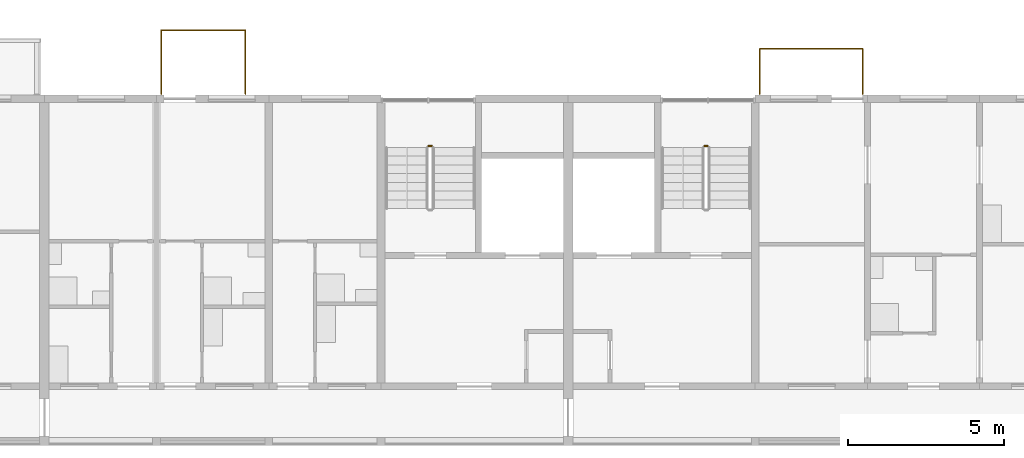
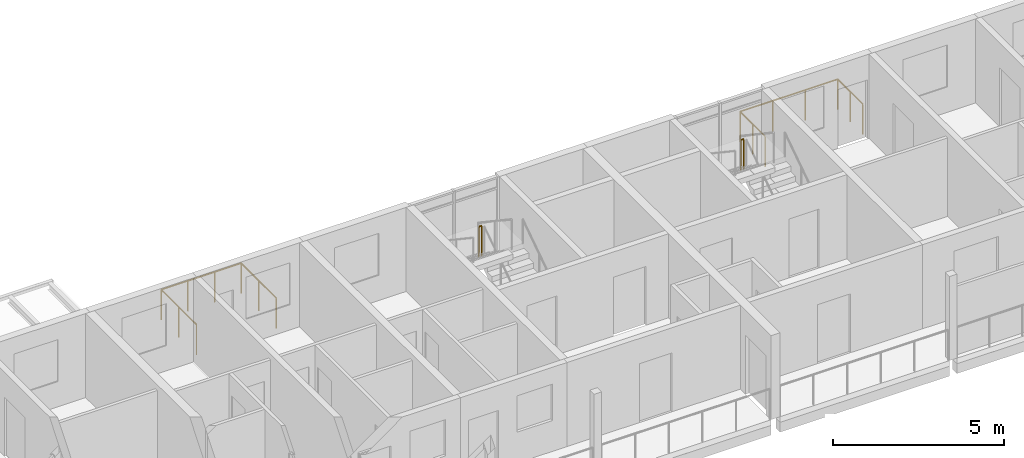
# One storey, part 97 of 100: 4 railings.
"""IFC4 building model written with IfcOpenShell, lengths in metres."""

from ifc_helpers import new_model, si_unit, direction, frame, origin, origin_2d, place, context, subcontext, project, spatial, circle, extrude, material, type_object, element, save


model = new_model("IFC4")

# Units and contexts
model_context = context("Model", 3, precision=1e-05, world=origin(), true_north=direction((0.0, 1.0)))
body_context = subcontext(model_context, "Body", "Model", "MODEL_VIEW")
ifc_project = project(units=[si_unit("LENGTHUNIT", "METRE"), si_unit("AREAUNIT", "SQUARE_METRE"), si_unit("VOLUMEUNIT", "CUBIC_METRE"), si_unit("PLANEANGLEUNIT", "RADIAN"), si_unit("MASSUNIT", "GRAM", prefix="KILO")], contexts=[model_context])

# Site, building, storey
site_placement = place(None, origin())
site = spatial("IfcSite", under=ifc_project, at=site_placement, CompositionType="ELEMENT")
building_placement = place(site_placement, origin())
building = spatial("IfcBuilding", under=site, at=building_placement, Name="Ridgestep Commons", CompositionType="ELEMENT")
storey_placement = place(building_placement, frame((0.0, 0.0, 9.0)))
storey = spatial("IfcBuildingStorey", under=building, at=storey_placement, Name="L03", CompositionType="ELEMENT", Elevation=9.0)

# Railings
ifc_material_1 = material(Name="Structural steel S355JR", Category="steel")
railing_type_1 = type_object("IfcRailingType", Name="Stair guard 1100", PredefinedType="GUARDRAIL", material=ifc_material_1)
railing_1_placement = place(storey_placement, frame((226.425048828125, 75.610107421875, 1.5)))
element("IfcRailing", 1, at=railing_1_placement, inside=storey, type_object=railing_type_1, Name="L03 C5C stair guard 2", PredefinedType="GUARDRAIL", context=body_context, shape_type="SweptSolid", body=[
    extrude(circle(Radius=0.02392578125, at=origin_2d()), frame((0.0, 0.0, 1.076171875), z_axis=(-1.0, 0.0, 0.0), x_axis=(0.0, -1.0, 0.0)), (0.0, 0.0, 1.0), 0.10009765625),
    extrude(circle(Radius=0.02099609375, at=origin_2d()), origin(), (0.0, 0.0, 1.0), 1.052001953125),
    extrude(circle(Radius=0.02099609375, at=origin_2d()), frame((-0.10009765625, 0.0, 0.0)), (0.0, 0.0, 1.0), 1.052001953125),
])
railing_2_placement = place(storey_placement, frame((235.27490234375, 75.610107421875, 1.5)))
element("IfcRailing", 2, at=railing_2_placement, inside=storey, type_object=railing_type_1, Name="L03 C6C stair guard 2", PredefinedType="GUARDRAIL", context=body_context, shape_type="SweptSolid", body=[
    extrude(circle(Radius=0.02392578125, at=origin_2d()), frame((0.0, 0.0, 1.076171875), z_axis=(-1.0, 0.0, 0.0), x_axis=(0.0, -1.0, 0.0)), (0.0, 0.0, 1.0), 0.099853515625),
    extrude(circle(Radius=0.02099609375, at=origin_2d()), origin(), (0.0, 0.0, 1.0), 1.052001953125),
    extrude(circle(Radius=0.02099609375, at=origin_2d()), frame((-0.099853515625, 0.0, 0.0)), (0.0, 0.0, 1.0), 1.052001953125),
])
ifc_material_2 = material(Name="Weathering steel S355J2W", Category="steel")
railing_type_2 = type_object("IfcRailingType", Name="Tray guard 1100", PredefinedType="GUARDRAIL", material=ifc_material_2)
railing_3_placement = place(storey_placement, frame((236.950927734375, 77.27099609375, 0.0)))
element("IfcRailing", 3, at=railing_3_placement, inside=storey, type_object=railing_type_2, Name="Tray guard C6T3-03", PredefinedType="GUARDRAIL", context=body_context, shape_type="SweptSolid", body=[
    extrude(circle(Radius=0.02392578125, at=origin_2d()), frame((0.0, 0.0, 1.076171875), z_axis=(0.0, 1.0, 0.0), x_axis=(-1.0, 0.0, 0.0)), (0.0, 0.0, 1.0), 1.4580078125),
    extrude(circle(Radius=0.02392578125, at=origin_2d()), frame((0.0, 1.4580078125, 1.076171875), z_axis=(1.0, 0.0, 0.0), x_axis=(0.0, 1.0, 0.0)), (0.0, 0.0, 1.0), 3.298095703125),
    extrude(circle(Radius=0.02392578125, at=origin_2d()), frame((3.298095703125, 1.4580078125, 1.076171875), z_axis=(0.0, -1.0, 0.0), x_axis=(1.0, 0.0, 0.0)), (0.0, 0.0, 1.0), 1.4580078125),
    extrude(circle(Radius=0.02099609375, at=origin_2d()), origin(), (0.0, 0.0, 1.0), 1.052001953125),
    extrude(circle(Radius=0.02099609375, at=origin_2d()), frame((0.0, 0.72900390625, 0.0)), (0.0, 0.0, 1.0), 1.052001953125),
    extrude(circle(Radius=0.02099609375, at=origin_2d()), frame((0.0, 1.4580078125, 0.0)), (0.0, 0.0, 1.0), 1.052001953125),
    extrude(circle(Radius=0.02099609375, at=origin_2d()), frame((1.099365234375, 1.4580078125, 0.0)), (0.0, 0.0, 1.0), 1.052001953125),
    extrude(circle(Radius=0.02099609375, at=origin_2d()), frame((2.19873046875, 1.4580078125, 0.0)), (0.0, 0.0, 1.0), 1.052001953125),
    extrude(circle(Radius=0.02099609375, at=origin_2d()), frame((3.298095703125, 1.4580078125, 0.0)), (0.0, 0.0, 1.0), 1.052001953125),
    extrude(circle(Radius=0.02099609375, at=origin_2d()), frame((3.298095703125, 0.72900390625, 0.0)), (0.0, 0.0, 1.0), 1.052001953125),
    extrude(circle(Radius=0.02099609375, at=origin_2d()), frame((3.298095703125, 0.0, 0.0)), (0.0, 0.0, 1.0), 1.052001953125),
])
railing_4_placement = place(storey_placement, frame((217.7509765625, 77.27099609375, 0.0)))
element("IfcRailing", 4, at=railing_4_placement, inside=storey, type_object=railing_type_2, Name="Tray guard C5T2-03", PredefinedType="GUARDRAIL", context=body_context, shape_type="SweptSolid", body=[
    extrude(circle(Radius=0.02392578125, at=origin_2d()), frame((0.0, 0.0, 1.076171875), z_axis=(0.0, 1.0, 0.0), x_axis=(-1.0, 0.0, 0.0)), (0.0, 0.0, 1.0), 2.05810546875),
    extrude(circle(Radius=0.02392578125, at=origin_2d()), frame((0.0, 2.05810546875, 1.076171875), z_axis=(1.0, 0.0, 0.0), x_axis=(0.0, 1.0, 0.0)), (0.0, 0.0, 1.0), 2.697998046875),
    extrude(circle(Radius=0.02392578125, at=origin_2d()), frame((2.697998046875, 2.05810546875, 1.076171875), z_axis=(0.0, -1.0, 0.0), x_axis=(1.0, 0.0, 0.0)), (0.0, 0.0, 1.0), 2.05810546875),
    extrude(circle(Radius=0.02099609375, at=origin_2d()), origin(), (0.0, 0.0, 1.0), 1.052001953125),
    extrude(circle(Radius=0.02099609375, at=origin_2d()), frame((0.0, 1.029052734375, 0.0)), (0.0, 0.0, 1.0), 1.052001953125),
    extrude(circle(Radius=0.02099609375, at=origin_2d()), frame((0.0, 2.05810546875, 0.0)), (0.0, 0.0, 1.0), 1.052001953125),
    extrude(circle(Radius=0.02099609375, at=origin_2d()), frame((0.8994140625, 2.05810546875, 0.0)), (0.0, 0.0, 1.0), 1.052001953125),
    extrude(circle(Radius=0.02099609375, at=origin_2d()), frame((1.798583984375, 2.05810546875, 0.0)), (0.0, 0.0, 1.0), 1.052001953125),
    extrude(circle(Radius=0.02099609375, at=origin_2d()), frame((2.697998046875, 2.05810546875, 0.0)), (0.0, 0.0, 1.0), 1.052001953125),
    extrude(circle(Radius=0.02099609375, at=origin_2d()), frame((2.697998046875, 1.029052734375, 0.0)), (0.0, 0.0, 1.0), 1.052001953125),
    extrude(circle(Radius=0.02099609375, at=origin_2d()), frame((2.697998046875, 0.0, 0.0)), (0.0, 0.0, 1.0), 1.052001953125),
])

save(model, "model.ifc")
